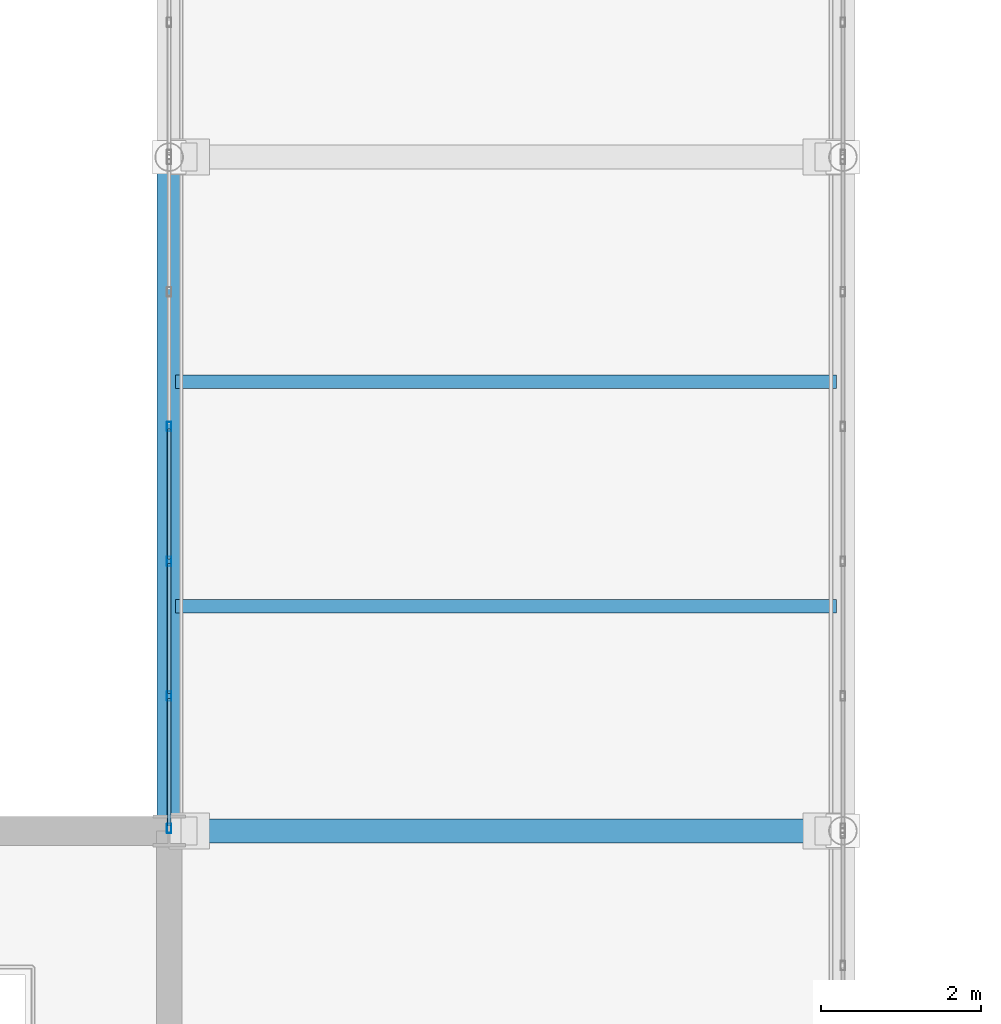
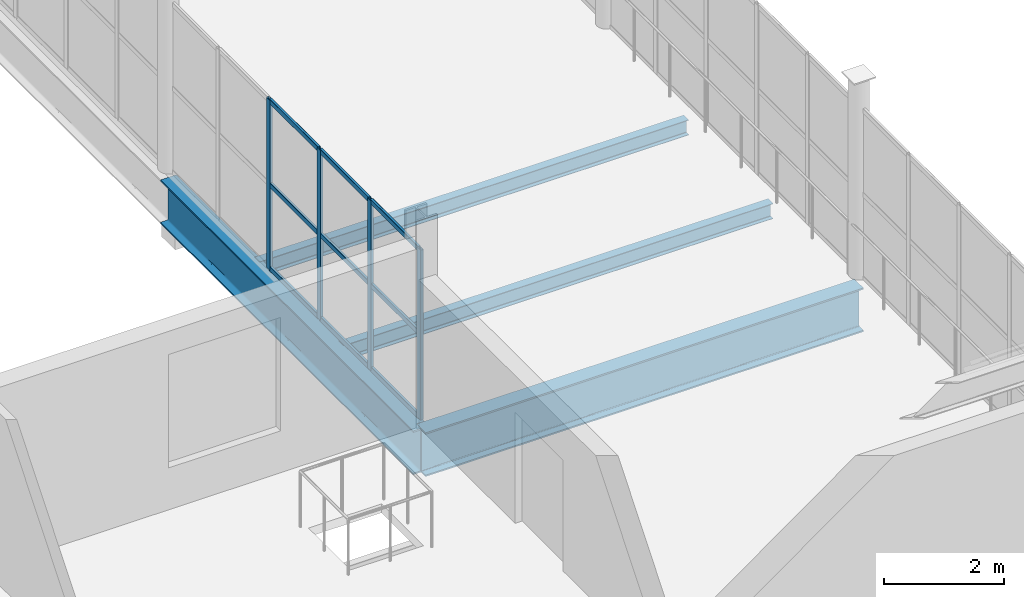
# One storey, part 56 of 184: 13 members, 4 beams, 1 element without a shape of its own.
"""IFC4 building model written with IfcOpenShell, lengths in metres."""

import ifcopenshell
import ifcopenshell.guid

model = None  # the IFC model being written
_history = None  # IfcOwnerHistory: only IFC2X3 demands one
_inside = {}  # id of a spatial element -> (the spatial element, [elements in it])
_under = {}  # id of a project, library or spatial element -> (it, [spatial elements below it])
_declared = {}  # id of a project -> (the project, [libraries it declares])
_typed = {}  # id of a type object -> (the type object, [elements of that type])
_made_of = {}  # id of a material, layer set ... -> (it, [elements and type objects made of it])


def new_model(schema):
    """Start an empty IFC model of exactly this schema.

    Asked for "IFC4X3", IfcOpenShell would pick the latest addendum, in which some entities
    have other attributes; the version numbers below select the first issue.
    IFC2X3 requires an IfcOwnerHistory on every rooted entity: one is made here for all.
    """
    global model, _history
    if schema == "IFC4X3":
        model = ifcopenshell.file(schema_version=(4, 3, 0, 0))
    else:
        model = ifcopenshell.file(schema=schema)
    _inside.clear()
    _under.clear()
    _declared.clear()
    _typed.clear()
    _made_of.clear()
    _history = None
    if model.schema == "IFC2X3":
        org = make("IfcOrganization", Name="unknown")
        user = make(
            "IfcPersonAndOrganization",
            ThePerson=make("IfcPerson", FamilyName="unknown"),
            TheOrganization=org,
        )
        app = make(
            "IfcApplication",
            ApplicationDeveloper=org,
            Version="unknown",
            ApplicationFullName="unknown",
            ApplicationIdentifier="unknown",
        )
        _history = make(
            "IfcOwnerHistory",
            OwningUser=user,
            OwningApplication=app,
            ChangeAction="ADDED",
            CreationDate=0,
        )
    return model


def make(cls, **values):
    """One entity of the class cls with the attributes given. An attribute that is None is left unset."""
    return model.create_entity(
        cls, **{name: value for name, value in values.items() if value is not None}
    )


def rooted(cls, **values):
    """An entity with a GlobalId (a new one), such as an element, a storey or a relation."""
    return make(cls, GlobalId=ifcopenshell.guid.new(), OwnerHistory=_history, **values)


def si_unit(unit_type, name, prefix=None):
    """IfcSIUnit, for example si_unit("LENGTHUNIT", "METRE", prefix="MILLI")."""
    return make("IfcSIUnit", UnitType=unit_type, Prefix=prefix, Name=name)


def assignment(units):
    """IfcUnitAssignment: the units of a project."""
    return None if units is None else make("IfcUnitAssignment", Units=units)


def point(xyz):
    """IfcCartesianPoint."""
    return None if xyz is None else make("IfcCartesianPoint", Coordinates=xyz)


def direction(xyz):
    """IfcDirection."""
    return None if xyz is None else make("IfcDirection", DirectionRatios=xyz)


def frame(location, z_axis=None, x_axis=None):
    """IfcAxis2Placement3D, a coordinate frame: its origin and axes. An axis left out is left unset."""
    return make(
        "IfcAxis2Placement3D",
        Location=point(location),
        Axis=direction(z_axis),
        RefDirection=direction(x_axis),
    )


def frame_2d(location, x_axis=None):
    """IfcAxis2Placement2D, a coordinate frame in the plane: its origin and x axis."""
    return make(
        "IfcAxis2Placement2D", Location=point(location), RefDirection=direction(x_axis)
    )


def origin():
    """The frame at (0, 0, 0) with its axes left unset."""
    return frame((0.0, 0.0, 0.0))


def origin_2d():
    """The frame at (0, 0) in the plane with its x axis left unset."""
    return frame_2d((0.0, 0.0))


def place(relative_to, where):
    """IfcLocalPlacement: puts the frame where relative to a parent placement (None: the world)."""
    return make(
        "IfcLocalPlacement", PlacementRelTo=relative_to, RelativePlacement=where
    )


def context(
    kind, dimensions, precision=None, world=None, true_north=None, identifier=None
):
    """IfcGeometricRepresentationContext, for example the 3D "Model" context."""
    return make(
        "IfcGeometricRepresentationContext",
        ContextIdentifier=identifier,
        ContextType=kind,
        CoordinateSpaceDimension=dimensions,
        Precision=precision,
        WorldCoordinateSystem=world,
        TrueNorth=true_north,
    )


def subcontext(parent, identifier, kind, view, scale=None):
    """IfcGeometricRepresentationSubContext, for example "Body" below "Model"."""
    return make(
        "IfcGeometricRepresentationSubContext",
        ContextIdentifier=identifier,
        ContextType=kind,
        ParentContext=parent,
        TargetScale=scale,
        TargetView=view,
    )


def project(units=None, contexts=None):
    """IfcProject with its units and contexts."""
    return rooted(
        "IfcProject",
        Name="project",
        RepresentationContexts=contexts,
        UnitsInContext=assignment(units),
    )


def spatial(cls, under=None, at=None, **own):
    """A site, building, storey or space (cls), placed at a placement, below another one or the project."""
    s = rooted(cls, ObjectPlacement=at, **own)
    if under is not None:
        _under.setdefault(under.id(), (under, []))[1].append(s)
    return s


def profile(cls, at=None, kind="AREA", **sizes):
    """A parametric profile (cls). Its sizes go by their IFC names, for example OverallWidth=200.0."""
    return make(cls, ProfileType=kind, Position=at, **sizes)


def hollow_rectangle(**sizes):
    """IfcRectangleHollowProfileDef."""
    return profile("IfcRectangleHollowProfileDef", **sizes)


def i_section(**sizes):
    """IfcIShapeProfileDef."""
    return profile("IfcIShapeProfileDef", **sizes)


def extrude(swept, where, along, depth):
    """IfcExtrudedAreaSolid: the profile swept, set in the frame where, extruded along a direction by depth."""
    return make(
        "IfcExtrudedAreaSolid",
        SweptArea=swept,
        Position=where,
        ExtrudedDirection=direction(along),
        Depth=depth,
    )


def shape(context_of_items, identifier, shape_type, items):
    """IfcShapeRepresentation: the items that make up one representation, for example the "Body"."""
    return make(
        "IfcShapeRepresentation",
        ContextOfItems=context_of_items,
        RepresentationIdentifier=identifier,
        RepresentationType=shape_type,
        Items=items,
    )


def material(Name=None, Category=None):
    """IfcMaterial."""
    return make("IfcMaterial", Name=Name, Category=Category)


def layer(
    of_material, thickness, ventilated=None, Name=None, Category=None, Priority=None
):
    """IfcMaterialLayer: one layer of a wall or slab, of a material (None: an air gap)."""
    return make(
        "IfcMaterialLayer",
        Material=of_material,
        LayerThickness=thickness,
        IsVentilated=ventilated,
        Name=Name,
        Category=Category,
        Priority=Priority,
    )


def layer_set(layers, Name=None):
    """IfcMaterialLayerSet."""
    return make("IfcMaterialLayerSet", MaterialLayers=layers, LayerSetName=Name)


def material_profile(
    of_material, cross_section, Name=None, Category=None, Priority=None
):
    """IfcMaterialProfile: a cross section and its material."""
    return make(
        "IfcMaterialProfile",
        Name=Name,
        Material=of_material,
        Profile=cross_section,
        Priority=Priority,
        Category=Category,
    )


def profile_set(profiles, Name=None, composite=None):
    """IfcMaterialProfileSet."""
    return make(
        "IfcMaterialProfileSet",
        Name=Name,
        MaterialProfiles=profiles,
        CompositeProfile=composite,
    )


def made_of(thing, what):
    """Note that an element or type object is made of a material, layer set ...; save() writes the relation."""
    if what is not None:
        _made_of.setdefault(what.id(), (what, []))[1].append(thing)
    return thing


def type_object(cls, material=None, **own):
    """A type object (cls), such as IfcWallType, which elements share."""
    return made_of(rooted(cls, **own), material)


def element(
    cls,
    number,
    at=None,
    inside=None,
    cuts=None,
    type_object=None,
    material=None,
    context=None,
    identifier="Body",
    shape_type=None,
    held_by="IfcProductDefinitionShape",
    body=None,
    shapes=None,
    **own,
):
    """One element of the class cls, such as IfcWall. Its Tag is "e" and its number.

    at: its placement. inside: the storey or other place that contains it. cuts: it is an
    opening in that element (IfcRelVoidsElement). A single representation is given by context,
    identifier, shape_type and body (its items); several are given by shapes. held_by: the class
    of the entity that holds the representations. save() writes the other relations.
    """
    e = rooted(cls, Tag="e%d" % number, ObjectPlacement=at, **own)
    if body is not None:
        shapes = [shape(context, identifier, shape_type, body)]
    if shapes is not None:
        e.Representation = make(held_by, Representations=shapes)
    if inside is not None:
        _inside.setdefault(inside.id(), (inside, []))[1].append(e)
    if cuts is not None:
        rooted(
            "IfcRelVoidsElement", RelatingBuildingElement=cuts, RelatedOpeningElement=e
        )
    if type_object is not None:
        _typed.setdefault(type_object.id(), (type_object, []))[1].append(e)
    return made_of(e, material)


def aggregate(whole, parts):
    """IfcRelAggregates: a whole, such as a stair, and the parts it consists of."""
    return rooted("IfcRelAggregates", RelatingObject=whole, RelatedObjects=parts)


def save(model, path):
    """Write the relations noted so far, then the file.

    IfcRelAggregates (storeys below a building ...), IfcRelContainedInSpatialStructure (elements
    in a storey), IfcRelDefinesByType, IfcRelAssociatesMaterial and IfcRelDeclares: one each for
    every whole, place, type object, material and project.
    """
    for whole, parts in _under.values():
        aggregate(whole, parts)
    for where, things in _inside.values():
        rooted(
            "IfcRelContainedInSpatialStructure",
            RelatedElements=things,
            RelatingStructure=where,
        )
    for kind, things in _typed.values():
        rooted("IfcRelDefinesByType", RelatedObjects=things, RelatingType=kind)
    for what, things in _made_of.values():
        rooted("IfcRelAssociatesMaterial", RelatedObjects=things, RelatingMaterial=what)
    for by, libraries in _declared.values():
        rooted("IfcRelDeclares", RelatingContext=by, RelatedDefinitions=libraries)
    model.write(path)


model = new_model("IFC4")

# Units and contexts
model_context = context("Model", 3, precision=1e-05, world=origin(), true_north=direction((0.0, 1.0)))
body_context = subcontext(model_context, "Body", "Model", "MODEL_VIEW")
ifc_project = project(units=[si_unit("LENGTHUNIT", "METRE"), si_unit("AREAUNIT", "SQUARE_METRE"), si_unit("VOLUMEUNIT", "CUBIC_METRE"), si_unit("PLANEANGLEUNIT", "RADIAN"), si_unit("MASSUNIT", "GRAM", prefix="KILO")], contexts=[model_context])

# Site, building, storey
site_placement = place(None, origin())
site = spatial("IfcSite", under=ifc_project, at=site_placement, CompositionType="ELEMENT")
building_placement = place(site_placement, origin())
building = spatial("IfcBuilding", under=site, at=building_placement, Name="Qalvenar Corner Mobility Hub", CompositionType="ELEMENT")
storey_placement = place(building_placement, frame((0.0, 0.0, 9.0)))
storey = spatial("IfcBuildingStorey", under=building, at=storey_placement, Name="L02", CompositionType="ELEMENT", Elevation=9.0)

# Beams
ifc_material_1 = material(Name="Steel S355", Category="steel")
ifc_material_profile_1 = material_profile(ifc_material_1, i_section(OverallWidth=0.300048828125, OverallDepth=0.889892578125, WebThickness=0.01611328125, FlangeThickness=0.030029296875, FilletRadius=0.027099609375, at=origin_2d()), Name="HEA900")
ifc_profile_set_1 = profile_set([ifc_material_profile_1], Name="Steel S355")
beam_type_1 = type_object("IfcBeamType", Name="BM-BRG900", PredefinedType="BEAM", material=ifc_profile_set_1)
beam_1_placement = place(storey_placement, frame((50.39990234375, 42.0, -0.635009765625), z_axis=(1.0, 0.0, 0.0), x_axis=(0.0, 1.0, 0.0)))
element("IfcBeam", 1, at=beam_1_placement, inside=storey, type_object=beam_type_1, Name="Court Link Bridge Girder BRG-2169", PredefinedType="BEAM", context=body_context, shape_type="SweptSolid", body=[
    extrude(i_section(OverallWidth=0.300048828125, OverallDepth=0.889892578125, WebThickness=0.01611328125, FlangeThickness=0.030029296875, FilletRadius=0.027099609375, at=origin_2d()), origin(), (0.0, 0.0, 1.0), 8.400146484375),
])
beam_2_placement = place(storey_placement, frame((50.39990234375, 42.0, -0.635009765625), z_axis=(0.0, 1.0, 0.0), x_axis=(-1.0, 0.0, 0.0)))
element("IfcBeam", 2, at=beam_2_placement, inside=storey, type_object=beam_type_1, Name="Court Link Bridge Girder BRG-2173", PredefinedType="BEAM", context=body_context, shape_type="SweptSolid", body=[
    extrude(i_section(OverallWidth=0.300048828125, OverallDepth=0.889892578125, WebThickness=0.01611328125, FlangeThickness=0.030029296875, FilletRadius=0.027099609375, at=origin_2d()), origin(), (0.0, 0.0, 1.0), 8.39990234375),
])
ifc_material_profile_2 = material_profile(ifc_material_1, i_section(OverallWidth=0.1650390625, OverallDepth=0.31005859375, WebThickness=0.005859375, FlangeThickness=0.009765625, FilletRadius=0.011962890625, at=origin_2d()), Name="W310x38.7")
ifc_profile_set_2 = profile_set([ifc_material_profile_2], Name="Steel S355")
beam_type_2 = type_object("IfcBeamType", Name="BM-JST310", PredefinedType="JOIST", material=ifc_profile_set_2)
for number, where, z_axis, x_axis, name in (
    (3, (50.47802734375, 44.800048828125, -0.344970703125), (1.0, 0.0, 0.0), (0.0, 1.0, 0.0), "Composite Floor Joist J-2182"),
    (4, (50.47802734375, 47.60009765625, -0.344970703125), (1.0, 0.0, 0.0), (0.0, 1.0, 0.0), "Composite Floor Joist J-2183"),
):
    element("IfcBeam", number, at=place(storey_placement, frame(where, z_axis=z_axis, x_axis=x_axis)), inside=storey, type_object=beam_type_2, Name=name, PredefinedType="JOIST", context=body_context, shape_type="SweptSolid", body=[
        extrude(i_section(OverallWidth=0.1650390625, OverallDepth=0.31005859375, WebThickness=0.005859375, FlangeThickness=0.009765625, FilletRadius=0.011962890625, at=origin_2d()), origin(), (0.0, 0.0, 1.0), 8.243896484375),
    ])

# Curtain wall, members
ifc_material_2 = material(Name="Anodised Aluminium and Low-E Glazing", Category="aluminium")
ifc_layer = layer(ifc_material_2, 0.1201171875)
ifc_layer_set = layer_set([ifc_layer], Name="Anodised Aluminium and Low-E Glazing")
curtain_wall_type = type_object("IfcCurtainWallType", Name="CW-BRG-84X28", PredefinedType="NOTDEFINED", material=ifc_layer_set)
curtain_wall_placement = place(storey_placement, origin())
curtain_wall = element("IfcCurtainWall", 5, at=curtain_wall_placement, inside=storey, type_object=curtain_wall_type, Name="Glazed Curtain Wall CW-BRG-L02-W1", PredefinedType="NOTDEFINED")
ifc_material_3 = material(Name="Anodised Aluminium 6063-T6", Category="aluminium")
ifc_material_profile_3 = material_profile(ifc_material_3, hollow_rectangle(XDim=0.054931640625, YDim=0.1201171875, WallThickness=0.00341796875, InnerFilletRadius=0.00341796875, OuterFilletRadius=0.007080078125, at=origin_2d()), Name="RHS120x55x3.5")
ifc_profile_set_3 = profile_set([ifc_material_profile_3], Name="Anodised Aluminium 6063-T6")
member_type_1 = type_object("IfcMemberType", Name="CW-MUL120", PredefinedType="MULLION", material=ifc_profile_set_3)
member_1_placement = place(storey_placement, frame((50.39990234375, 47.0400390625, 0.0), z_axis=(0.0, 0.0, 1.0), x_axis=(1.0, 0.0, 0.0)))
member_1 = element("IfcMember", 6, at=member_1_placement, type_object=member_type_1, Name="CW-11 mullion 3", PredefinedType="MULLION", context=body_context, shape_type="SweptSolid", body=[
    extrude(hollow_rectangle(XDim=0.054931640625, YDim=0.1201171875, WallThickness=0.00341796875, InnerFilletRadius=0.00341796875, OuterFilletRadius=0.007080078125, at=origin_2d()), origin(), (0.0, 0.0, 1.0), 3.449951171875),
])
member_2_placement = place(storey_placement, frame((50.39990234375, 45.360107421875, 0.0), z_axis=(0.0, 0.0, 1.0), x_axis=(1.0, 0.0, 0.0)))
member_2 = element("IfcMember", 7, at=member_2_placement, type_object=member_type_1, Name="CW-11 mullion 4", PredefinedType="MULLION", context=body_context, shape_type="SweptSolid", body=[
    extrude(hollow_rectangle(XDim=0.054931640625, YDim=0.1201171875, WallThickness=0.00341796875, InnerFilletRadius=0.00341796875, OuterFilletRadius=0.007080078125, at=origin_2d()), origin(), (0.0, 0.0, 1.0), 3.449951171875),
])
member_3_placement = place(storey_placement, frame((50.39990234375, 43.679931640625, 0.0), z_axis=(0.0, 0.0, 1.0), x_axis=(1.0, 0.0, 0.0)))
member_3 = element("IfcMember", 8, at=member_3_placement, type_object=member_type_1, Name="CW-11 mullion 5", PredefinedType="MULLION", context=body_context, shape_type="SweptSolid", body=[
    extrude(hollow_rectangle(XDim=0.054931640625, YDim=0.1201171875, WallThickness=0.00341796875, InnerFilletRadius=0.00341796875, OuterFilletRadius=0.007080078125, at=origin_2d()), origin(), (0.0, 0.0, 1.0), 3.449951171875),
])
member_4_placement = place(storey_placement, frame((50.39990234375, 42.030029296875, 0.0), z_axis=(0.0, 0.0, 1.0), x_axis=(1.0, 0.0, 0.0)))
member_4 = element("IfcMember", 9, at=member_4_placement, type_object=member_type_1, Name="CW-11 mullion 6", PredefinedType="MULLION", context=body_context, shape_type="SweptSolid", body=[
    extrude(hollow_rectangle(XDim=0.054931640625, YDim=0.1201171875, WallThickness=0.00341796875, InnerFilletRadius=0.00341796875, OuterFilletRadius=0.007080078125, at=origin_2d()), origin(), (0.0, 0.0, 1.0), 3.449951171875),
])
ifc_material_profile_4 = material_profile(ifc_material_3, hollow_rectangle(XDim=0.050048828125, YDim=0.10009765625, WallThickness=0.0029296875, InnerFilletRadius=0.0029296875, OuterFilletRadius=0.006103515625, at=origin_2d()), Name="RHS100x50x3")
ifc_profile_set_4 = profile_set([ifc_material_profile_4], Name="Anodised Aluminium 6063-T6")
member_type_2 = type_object("IfcMemberType", Name="CW-TRN100", PredefinedType="USERDEFINED", material=ifc_profile_set_4)
member_5_placement = place(storey_placement, frame((50.39990234375, 47.010009765625, 0.027587890625), z_axis=(0.0, -1.0, 0.0), x_axis=(1.0, 0.0, 0.0)))
member_5 = element("IfcMember", 10, at=member_5_placement, type_object=member_type_2, Name="CW-11 transom 3.1", ObjectType="TRANSOM", PredefinedType="USERDEFINED", context=body_context, shape_type="SweptSolid", body=[
    extrude(hollow_rectangle(XDim=0.050048828125, YDim=0.10009765625, WallThickness=0.0029296875, InnerFilletRadius=0.0029296875, OuterFilletRadius=0.006103515625, at=origin_2d()), origin(), (0.0, 0.0, 1.0), 1.6201171875),
])
member_6_placement = place(storey_placement, frame((50.39990234375, 47.010009765625, 1.72509765625), z_axis=(0.0, -1.0, 0.0), x_axis=(1.0, 0.0, 0.0)))
member_6 = element("IfcMember", 11, at=member_6_placement, type_object=member_type_2, Name="CW-11 transom 3.2", ObjectType="TRANSOM", PredefinedType="USERDEFINED", context=body_context, shape_type="SweptSolid", body=[
    extrude(hollow_rectangle(XDim=0.050048828125, YDim=0.10009765625, WallThickness=0.0029296875, InnerFilletRadius=0.0029296875, OuterFilletRadius=0.006103515625, at=origin_2d()), origin(), (0.0, 0.0, 1.0), 1.6201171875),
])
member_7_placement = place(storey_placement, frame((50.39990234375, 47.010009765625, 3.422607421875), z_axis=(0.0, -1.0, 0.0), x_axis=(1.0, 0.0, 0.0)))
member_7 = element("IfcMember", 12, at=member_7_placement, type_object=member_type_2, Name="CW-11 transom 3.3", ObjectType="TRANSOM", PredefinedType="USERDEFINED", context=body_context, shape_type="SweptSolid", body=[
    extrude(hollow_rectangle(XDim=0.050048828125, YDim=0.10009765625, WallThickness=0.0029296875, InnerFilletRadius=0.0029296875, OuterFilletRadius=0.006103515625, at=origin_2d()), origin(), (0.0, 0.0, 1.0), 1.6201171875),
])
member_8_placement = place(storey_placement, frame((50.39990234375, 45.330078125, 0.027587890625), z_axis=(0.0, -1.0, 0.0), x_axis=(1.0, 0.0, 0.0)))
member_8 = element("IfcMember", 13, at=member_8_placement, type_object=member_type_2, Name="CW-11 transom 4.1", ObjectType="TRANSOM", PredefinedType="USERDEFINED", context=body_context, shape_type="SweptSolid", body=[
    extrude(hollow_rectangle(XDim=0.050048828125, YDim=0.10009765625, WallThickness=0.0029296875, InnerFilletRadius=0.0029296875, OuterFilletRadius=0.006103515625, at=origin_2d()), origin(), (0.0, 0.0, 1.0), 1.6201171875),
])
member_9_placement = place(storey_placement, frame((50.39990234375, 45.330078125, 1.72509765625), z_axis=(0.0, -1.0, 0.0), x_axis=(1.0, 0.0, 0.0)))
member_9 = element("IfcMember", 14, at=member_9_placement, type_object=member_type_2, Name="CW-11 transom 4.2", ObjectType="TRANSOM", PredefinedType="USERDEFINED", context=body_context, shape_type="SweptSolid", body=[
    extrude(hollow_rectangle(XDim=0.050048828125, YDim=0.10009765625, WallThickness=0.0029296875, InnerFilletRadius=0.0029296875, OuterFilletRadius=0.006103515625, at=origin_2d()), origin(), (0.0, 0.0, 1.0), 1.6201171875),
])
member_10_placement = place(storey_placement, frame((50.39990234375, 45.330078125, 3.422607421875), z_axis=(0.0, -1.0, 0.0), x_axis=(1.0, 0.0, 0.0)))
member_10 = element("IfcMember", 15, at=member_10_placement, type_object=member_type_2, Name="CW-11 transom 4.3", ObjectType="TRANSOM", PredefinedType="USERDEFINED", context=body_context, shape_type="SweptSolid", body=[
    extrude(hollow_rectangle(XDim=0.050048828125, YDim=0.10009765625, WallThickness=0.0029296875, InnerFilletRadius=0.0029296875, OuterFilletRadius=0.006103515625, at=origin_2d()), origin(), (0.0, 0.0, 1.0), 1.6201171875),
])
member_11_placement = place(storey_placement, frame((50.39990234375, 43.64990234375, 0.027587890625), z_axis=(0.0, -1.0, 0.0), x_axis=(1.0, 0.0, 0.0)))
member_11 = element("IfcMember", 16, at=member_11_placement, type_object=member_type_2, Name="CW-11 transom 5.1", ObjectType="TRANSOM", PredefinedType="USERDEFINED", context=body_context, shape_type="SweptSolid", body=[
    extrude(hollow_rectangle(XDim=0.050048828125, YDim=0.10009765625, WallThickness=0.0029296875, InnerFilletRadius=0.0029296875, OuterFilletRadius=0.006103515625, at=origin_2d()), origin(), (0.0, 0.0, 1.0), 1.58984375),
])
member_12_placement = place(storey_placement, frame((50.39990234375, 43.64990234375, 1.72509765625), z_axis=(0.0, -1.0, 0.0), x_axis=(1.0, 0.0, 0.0)))
member_12 = element("IfcMember", 17, at=member_12_placement, type_object=member_type_2, Name="CW-11 transom 5.2", ObjectType="TRANSOM", PredefinedType="USERDEFINED", context=body_context, shape_type="SweptSolid", body=[
    extrude(hollow_rectangle(XDim=0.050048828125, YDim=0.10009765625, WallThickness=0.0029296875, InnerFilletRadius=0.0029296875, OuterFilletRadius=0.006103515625, at=origin_2d()), origin(), (0.0, 0.0, 1.0), 1.58984375),
])
member_13_placement = place(storey_placement, frame((50.39990234375, 43.64990234375, 3.422607421875), z_axis=(0.0, -1.0, 0.0), x_axis=(1.0, 0.0, 0.0)))
member_13 = element("IfcMember", 18, at=member_13_placement, type_object=member_type_2, Name="CW-11 transom 5.3", ObjectType="TRANSOM", PredefinedType="USERDEFINED", context=body_context, shape_type="SweptSolid", body=[
    extrude(hollow_rectangle(XDim=0.050048828125, YDim=0.10009765625, WallThickness=0.0029296875, InnerFilletRadius=0.0029296875, OuterFilletRadius=0.006103515625, at=origin_2d()), origin(), (0.0, 0.0, 1.0), 1.58984375),
])
aggregate(curtain_wall, [member_1, member_2, member_3, member_4, member_5, member_6, member_7, member_8, member_9, member_10, member_11, member_12, member_13])

save(model, "model.ifc")
